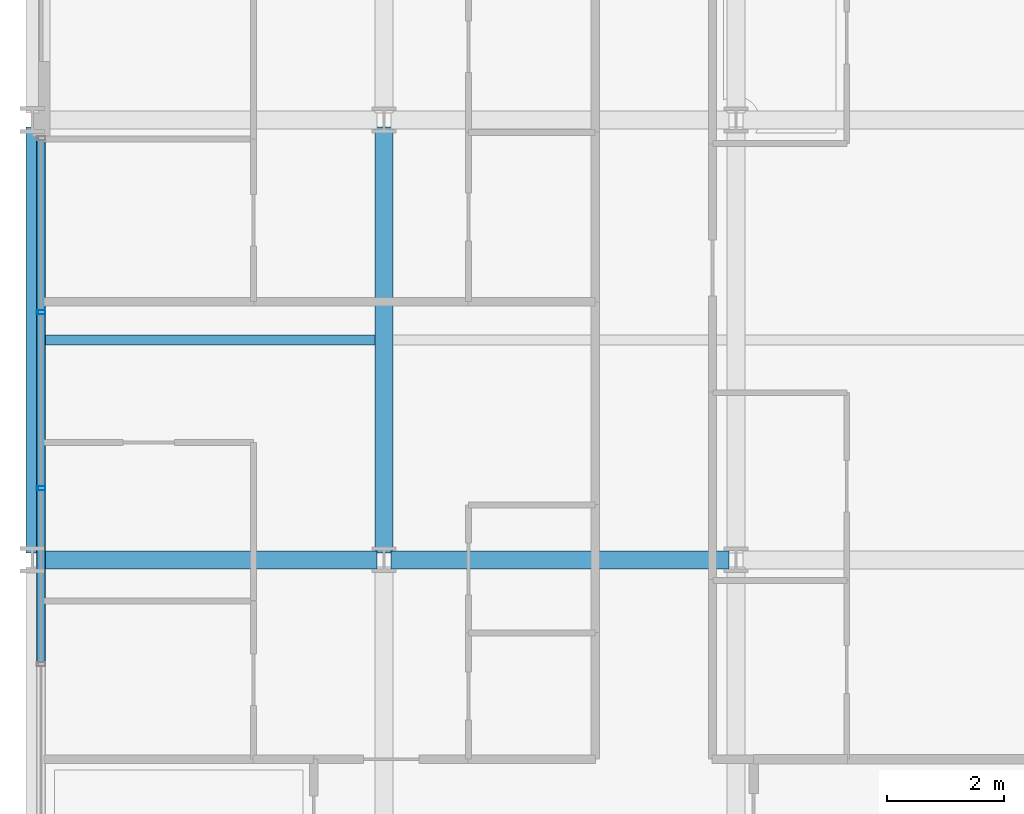
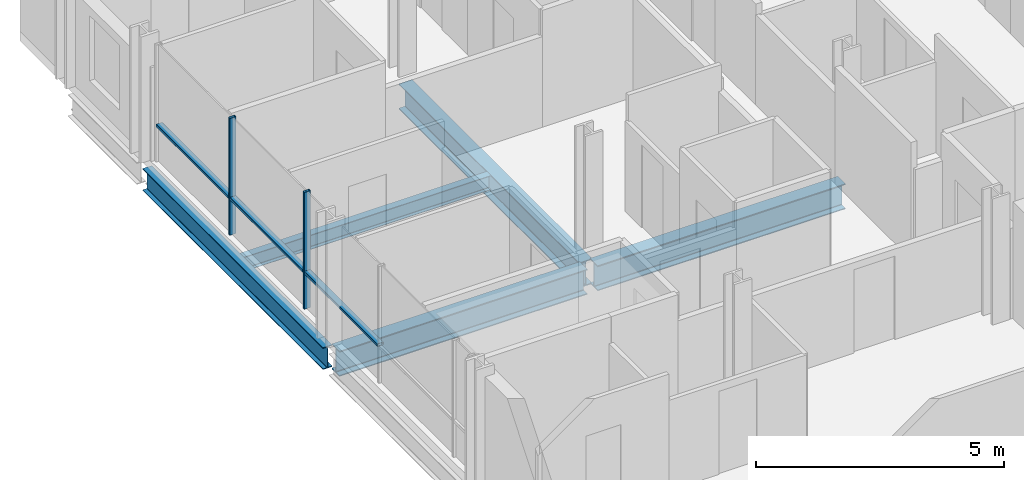
# One storey, part 5 of 40: 5 beams, 5 members, 1 element without a shape of its own.
"""IFC4 building model written with IfcOpenShell, lengths in metres."""

from ifc_helpers import new_model, si_unit, direction, frame, origin, origin_2d, place, context, subcontext, project, spatial, hollow_rectangle, i_section, extrude, material, layer, layer_set, material_profile, profile_set, type_object, element, aggregate, save


model = new_model("IFC4")

# Units and contexts
model_context = context("Model", 3, precision=1e-05, world=origin(), true_north=direction((0.0, 1.0)))
body_context = subcontext(model_context, "Body", "Model", "MODEL_VIEW")
ifc_project = project(units=[si_unit("LENGTHUNIT", "METRE"), si_unit("AREAUNIT", "SQUARE_METRE"), si_unit("VOLUMEUNIT", "CUBIC_METRE"), si_unit("PLANEANGLEUNIT", "RADIAN"), si_unit("MASSUNIT", "GRAM", prefix="KILO")], contexts=[model_context])

# Site, building, storey
site_placement = place(None, origin())
site = spatial("IfcSite", under=ifc_project, at=site_placement, CompositionType="ELEMENT")
building_placement = place(site_placement, origin())
building = spatial("IfcBuilding", under=site, at=building_placement, Name="Brevholm Reach", CompositionType="ELEMENT")
storey_placement = place(building_placement, frame((0.0, 0.0, 62.10009765625)))
storey = spatial("IfcBuildingStorey", under=building, at=storey_placement, Name="L17", CompositionType="ELEMENT", Elevation=62.10009765625)

# Beams
ifc_material_1 = material(Name="Structural Steel S355J2", Category="steel")
ifc_material_profile_1 = material_profile(ifc_material_1, i_section(OverallWidth=0.17138671875, OverallDepth=0.35498046875, WebThickness=0.00732421875, FlangeThickness=0.011474609375, FilletRadius=0.01025390625, at=origin_2d()), Name="UKB 356x171x51")
ifc_profile_set_1 = profile_set([ifc_material_profile_1], Name="Structural Steel S355J2")
beam_type_1 = type_object("IfcBeamType", Name="BM-B356", PredefinedType="BEAM", material=ifc_profile_set_1)
beam_1_placement = place(storey_placement, frame((0.10546875, 19.75, -0.40771484375), z_axis=(1.0, 0.0, 0.0), x_axis=(0.0, 1.0, 0.0)))
element("IfcBeam", 1, at=beam_1_placement, inside=storey, type_object=beam_type_1, Name="L17 Composite Secondary Floor Beam", PredefinedType="BEAM", context=body_context, shape_type="SweptSolid", body=[
    extrude(i_section(OverallWidth=0.17138671875, OverallDepth=0.35498046875, WebThickness=0.00732421875, FlangeThickness=0.011474609375, FilletRadius=0.01025390625, at=origin_2d()), origin(), (0.0, 0.0, 1.0), 5.740966796875),
])
ifc_material_2 = material(Name="Structural Steel S355J2", Category="steel")
ifc_material_profile_2 = material_profile(ifc_material_2, i_section(OverallWidth=0.210693359375, OverallDepth=0.53955078125, WebThickness=0.01171875, FlangeThickness=0.018798828125, FilletRadius=0.0126953125, at=origin_2d()), Name="UKB 533x210x109")
ifc_profile_set_2 = profile_set([ifc_material_profile_2], Name="Structural Steel S355J2")
beam_type_2 = type_object("IfcBeamType", Name="BM-SP539", PredefinedType="SPANDREL", material=ifc_profile_set_2)
beam_2_placement = place(storey_placement, frame((0.0, 16.1201171875, -0.499755859375), z_axis=(0.0, 1.0, 0.0), x_axis=(-1.0, 0.0, 0.0)))
element("IfcBeam", 2, at=beam_2_placement, inside=storey, type_object=beam_type_2, Name="L17 SP-01B Framing Beam", PredefinedType="SPANDREL", context=body_context, shape_type="SweptSolid", body=[
    extrude(i_section(OverallWidth=0.210693359375, OverallDepth=0.53955078125, WebThickness=0.01171875, FlangeThickness=0.018798828125, FilletRadius=0.0126953125, at=origin_2d()), origin(), (0.0, 0.0, 1.0), 7.259765625),
])
ifc_material_3 = material(Name="Structural Steel S355J2", Category="steel")
ifc_material_profile_3 = material_profile(ifc_material_3, i_section(OverallWidth=0.30712890625, OverallDepth=0.6201171875, WebThickness=0.01416015625, FlangeThickness=0.023681640625, FilletRadius=0.0166015625, at=origin_2d()), Name="UKB 610x305x179")
ifc_profile_set_3 = profile_set([ifc_material_profile_3], Name="Structural Steel S355J2")
beam_type_3 = type_object("IfcBeamType", Name="BM-UKB610H", PredefinedType="USERDEFINED", material=ifc_profile_set_3)
for number, where, z_axis, x_axis, name in (
    (3, (0.1201171875, 16.0, -0.540283203125), (1.0, 0.0, 0.0), (0.0, 1.0, 0.0), "L17 G-06 Framing Beam"),
    (4, (6.1201171875, 16.0, -0.540283203125), (1.0, 0.0, 0.0), (0.0, 1.0, 0.0), "L17 G-06 Framing Beam"),
):
    element("IfcBeam", number, at=place(storey_placement, frame(where, z_axis=z_axis, x_axis=x_axis)), inside=storey, type_object=beam_type_3, Name=name, ObjectType="GIRDER", PredefinedType="USERDEFINED", context=body_context, shape_type="SweptSolid", body=[
        extrude(i_section(OverallWidth=0.30712890625, OverallDepth=0.6201171875, WebThickness=0.01416015625, FlangeThickness=0.023681640625, FilletRadius=0.0166015625, at=origin_2d()), origin(), (0.0, 0.0, 1.0), 5.759765625),
    ])
beam_3_placement = place(storey_placement, frame((6.0, 16.1201171875, -0.540283203125), z_axis=(0.0, 1.0, 0.0), x_axis=(-1.0, 0.0, 0.0)))
element("IfcBeam", 5, at=beam_3_placement, inside=storey, type_object=beam_type_3, Name="L17 G-06 Framing Beam", ObjectType="GIRDER", PredefinedType="USERDEFINED", context=body_context, shape_type="SweptSolid", body=[
    extrude(i_section(OverallWidth=0.30712890625, OverallDepth=0.6201171875, WebThickness=0.01416015625, FlangeThickness=0.023681640625, FilletRadius=0.0166015625, at=origin_2d()), origin(), (0.0, 0.0, 1.0), 7.259765625),
])

# Curtain wall, members
ifc_material_4 = material(Name="Dark Anodised Aluminium 6063-T6 and Solar-Control Glass", Category="aluminium")
ifc_layer = layer(ifc_material_4, 0.14990234375)
ifc_layer_set = layer_set([ifc_layer], Name="Dark Anodised Aluminium 6063-T6 and Solar-Control Glass")
curtain_wall_type = type_object("IfcCurtainWallType", Name="CW-01", PredefinedType="NOTDEFINED", material=ifc_layer_set)
curtain_wall_placement = place(storey_placement, origin())
curtain_wall = element("IfcCurtainWall", 6, at=curtain_wall_placement, inside=storey, type_object=curtain_wall_type, Name="L17 Curtain Wall CW-01", PredefinedType="NOTDEFINED")
ifc_material_5 = material(Name="Dark Anodised Aluminium 6063-T6", Category="aluminium")
ifc_material_profile_4 = material_profile(ifc_material_5, hollow_rectangle(XDim=0.06494140625, YDim=0.14990234375, WallThickness=0.0048828125, InnerFilletRadius=0.0048828125, OuterFilletRadius=0.010009765625, at=origin_2d()), Name="RHS 150x65x5")
ifc_profile_set_4 = profile_set([ifc_material_profile_4], Name="Dark Anodised Aluminium 6063-T6")
member_type_1 = type_object("IfcMemberType", Name="CWM-150", PredefinedType="MULLION", material=ifc_profile_set_4)
member_1_placement = place(storey_placement, frame((0.14990234375, 20.219970703125, 0.0), z_axis=(0.0, 0.0, 1.0), x_axis=(0.0, -1.0, 0.0)))
member_1 = element("IfcMember", 7, at=member_1_placement, type_object=member_type_1, Name="CM-150 Mullion 2", PredefinedType="MULLION", context=body_context, shape_type="SweptSolid", body=[
    extrude(hollow_rectangle(XDim=0.06494140625, YDim=0.14990234375, WallThickness=0.0048828125, InnerFilletRadius=0.0048828125, OuterFilletRadius=0.010009765625, at=origin_2d()), origin(), (0.0, 0.0, 1.0), 2.869873046875),
])
member_2_placement = place(storey_placement, frame((0.14990234375, 17.219970703125, 0.0), z_axis=(0.0, 0.0, 1.0), x_axis=(0.0, -1.0, 0.0)))
member_2 = element("IfcMember", 8, at=member_2_placement, type_object=member_type_1, Name="CM-150 Mullion 3", PredefinedType="MULLION", context=body_context, shape_type="SweptSolid", body=[
    extrude(hollow_rectangle(XDim=0.06494140625, YDim=0.14990234375, WallThickness=0.0048828125, InnerFilletRadius=0.0048828125, OuterFilletRadius=0.010009765625, at=origin_2d()), origin(), (0.0, 0.0, 1.0), 2.869873046875),
])
ifc_material_6 = material(Name="Dark Anodised Aluminium 6063-T6", Category="aluminium")
ifc_material_profile_5 = material_profile(ifc_material_6, hollow_rectangle(XDim=0.06494140625, YDim=0.14990234375, WallThickness=0.0048828125, InnerFilletRadius=0.0048828125, OuterFilletRadius=0.010009765625, at=origin_2d()), Name="RHS 150x65x5")
ifc_profile_set_5 = profile_set([ifc_material_profile_5], Name="Dark Anodised Aluminium 6063-T6")
member_type_2 = type_object("IfcMemberType", Name="CWT-150", PredefinedType="NOTDEFINED", material=ifc_profile_set_5)
member_3_placement = place(storey_placement, frame((0.14990234375, 23.155029296875, 0.89990234375), z_axis=(0.0, -1.0, 0.0), x_axis=(0.0, 0.0, 1.0)))
member_3 = element("IfcMember", 9, at=member_3_placement, type_object=member_type_2, Name="CT-150 Transom 1.1", ObjectType="TRANSOM", PredefinedType="USERDEFINED", context=body_context, shape_type="SweptSolid", body=[
    extrude(hollow_rectangle(XDim=0.06494140625, YDim=0.14990234375, WallThickness=0.0048828125, InnerFilletRadius=0.0048828125, OuterFilletRadius=0.010009765625, at=origin_2d()), origin(), (0.0, 0.0, 1.0), 2.902587890625),
])
member_4_placement = place(storey_placement, frame((0.14990234375, 20.1875, 0.89990234375), z_axis=(0.0, -1.0, 0.0), x_axis=(0.0, 0.0, 1.0)))
member_4 = element("IfcMember", 10, at=member_4_placement, type_object=member_type_2, Name="CT-150 Transom 2.1", ObjectType="TRANSOM", PredefinedType="USERDEFINED", context=body_context, shape_type="SweptSolid", body=[
    extrude(hollow_rectangle(XDim=0.06494140625, YDim=0.14990234375, WallThickness=0.0048828125, InnerFilletRadius=0.0048828125, OuterFilletRadius=0.010009765625, at=origin_2d()), origin(), (0.0, 0.0, 1.0), 2.93505859375),
])
member_5_placement = place(storey_placement, frame((0.14990234375, 17.1875, 0.89990234375), z_axis=(0.0, -1.0, 0.0), x_axis=(0.0, 0.0, 1.0)))
member_5 = element("IfcMember", 11, at=member_5_placement, type_object=member_type_2, Name="CT-150 Transom 3.1", ObjectType="TRANSOM", PredefinedType="USERDEFINED", context=body_context, shape_type="SweptSolid", body=[
    extrude(hollow_rectangle(XDim=0.06494140625, YDim=0.14990234375, WallThickness=0.0048828125, InnerFilletRadius=0.0048828125, OuterFilletRadius=0.010009765625, at=origin_2d()), origin(), (0.0, 0.0, 1.0), 2.93505859375),
])
aggregate(curtain_wall, [member_1, member_2, member_3, member_4, member_5])

save(model, "model.ifc")
